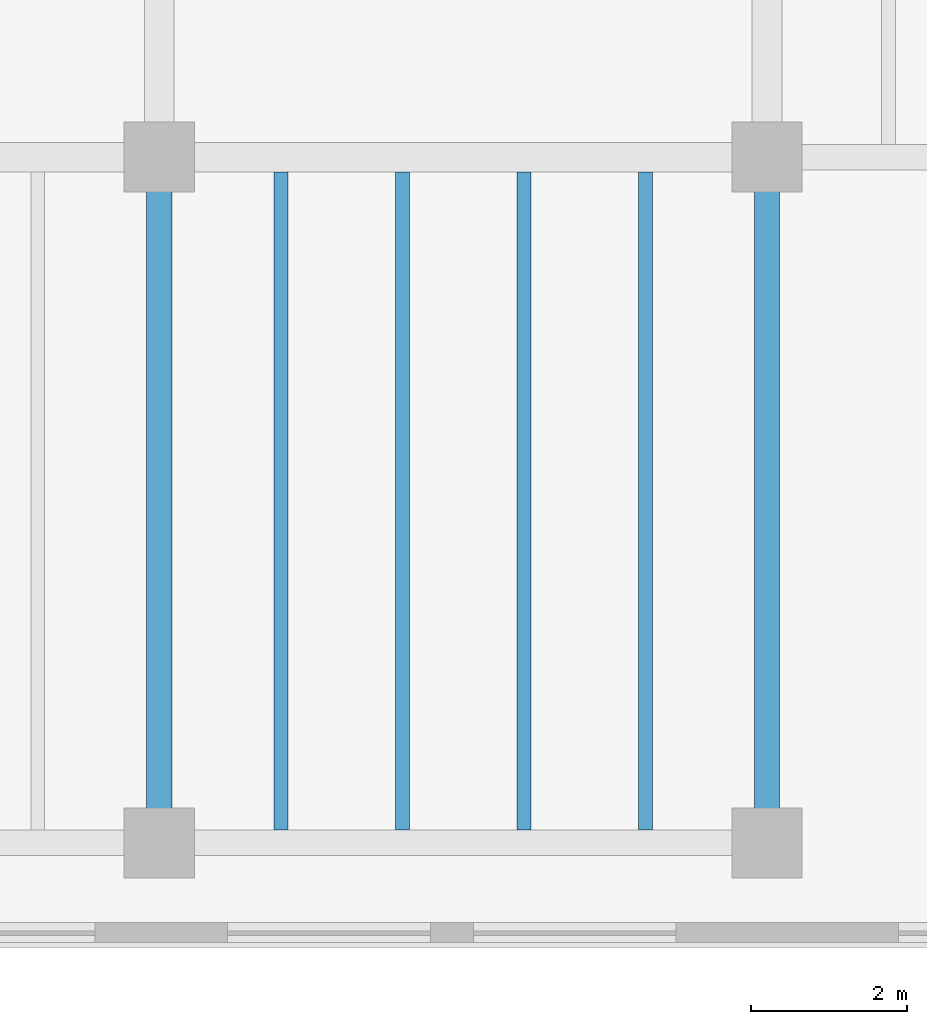
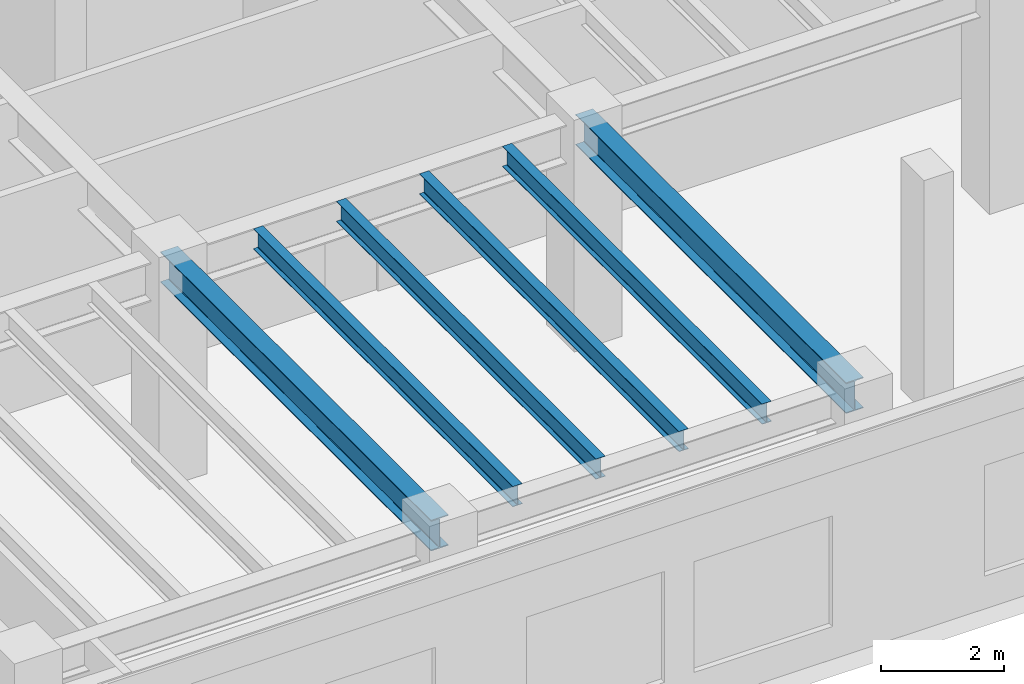
# One storey, part 5 of 20: 6 beams.
"""IFC4 building model written with IfcOpenShell, lengths in metres."""

from ifc_helpers import new_model, si_unit, direction, frame, origin, origin_2d, place, context, subcontext, project, spatial, i_section, extrude, material, material_profile, profile_set, type_object, element, save


model = new_model("IFC4")

# Units and contexts
model_context = context("Model", 3, precision=1e-05, world=origin(), true_north=direction((0.0, 1.0)))
body_context = subcontext(model_context, "Body", "Model", "MODEL_VIEW")
ifc_project = project(units=[si_unit("LENGTHUNIT", "METRE"), si_unit("AREAUNIT", "SQUARE_METRE"), si_unit("VOLUMEUNIT", "CUBIC_METRE"), si_unit("PLANEANGLEUNIT", "RADIAN"), si_unit("MASSUNIT", "GRAM", prefix="KILO")], contexts=[model_context])

# Site, building, storey
site_placement = place(None, origin())
site = spatial("IfcSite", under=ifc_project, at=site_placement, CompositionType="ELEMENT")
building_placement = place(site_placement, origin())
building = spatial("IfcBuilding", under=site, at=building_placement, Name="Kestravale Grand Hotel", CompositionType="ELEMENT")
storey_placement = place(building_placement, frame((0.0, 0.0, 231.89990234375)))
storey = spatial("IfcBuildingStorey", under=building, at=storey_placement, Name="L58", CompositionType="ELEMENT", Elevation=231.89990234375)

# Beams
ifc_material_1 = material(Name="Steel ASTM A992 Grade 50", Category="steel")
ifc_material_profile_1 = material_profile(ifc_material_1, i_section(OverallWidth=0.177978515625, OverallDepth=0.404052734375, WebThickness=0.007568359375, FlangeThickness=0.010986328125, FilletRadius=0.01416015625, at=origin_2d()))
ifc_profile_set_1 = profile_set([ifc_material_profile_1], Name="Steel ASTM A992 Grade 50")
beam_type_1 = type_object("IfcBeamType", Name="B-FLR-JST16", PredefinedType="JOIST", material=ifc_profile_set_1)
for number, where, z_axis, x_axis, name in (
    (1, (56.159912109375, 11.362548828125, 4.148193359375), (0.0, 1.0, 0.0), (-1.0, 0.0, 0.0), "L58 floor joist 9-10/C-D #1"),
    (2, (57.719970703125, 11.362548828125, 4.148193359375), (0.0, 1.0, 0.0), (-1.0, 0.0, 0.0), "L58 floor joist 9-10/C-D #2"),
    (3, (59.280029296875, 11.362548828125, 4.148193359375), (0.0, 1.0, 0.0), (-1.0, 0.0, 0.0), "L58 floor joist 9-10/C-D #3"),
    (4, (60.840087890625, 11.362548828125, 4.148193359375), (0.0, 1.0, 0.0), (-1.0, 0.0, 0.0), "L58 floor joist 9-10/C-D #4"),
):
    element("IfcBeam", number, at=place(storey_placement, frame(where, z_axis=z_axis, x_axis=x_axis)), inside=storey, type_object=beam_type_1, Name=name, PredefinedType="JOIST", context=body_context, shape_type="SweptSolid", body=[
        extrude(i_section(OverallWidth=0.177978515625, OverallDepth=0.404052734375, WebThickness=0.007568359375, FlangeThickness=0.010986328125, FilletRadius=0.01416015625, at=origin_2d()), origin(), (0.0, 0.0, 1.0), 8.447021484375),
    ])
ifc_material_2 = material(Name="Steel ASTM A992 Grade 50", Category="steel")
ifc_material_profile_2 = material_profile(ifc_material_2, i_section(OverallWidth=0.324951171875, OverallDepth=0.612060546875, WebThickness=0.0126953125, FlangeThickness=0.01904296875, FilletRadius=0.018798828125, at=origin_2d()))
ifc_profile_set_2 = profile_set([ifc_material_profile_2], Name="Steel ASTM A992 Grade 50")
beam_type_2 = type_object("IfcBeamType", Name="B-FLR-W24A", PredefinedType="SPANDREL", material=ifc_profile_set_2)
for number, where, z_axis, x_axis, name in (
    (5, (54.60009765625, 11.199951171875, 4.044189453125), (0.0, 1.0, 0.0), (-1.0, 0.0, 0.0), "L58 spandrel 9:C-D"),
    (6, (62.39990234375, 11.199951171875, 4.044189453125), (0.0, 1.0, 0.0), (-1.0, 0.0, 0.0), "L58 spandrel 10:C-D"),
):
    element("IfcBeam", number, at=place(storey_placement, frame(where, z_axis=z_axis, x_axis=x_axis)), inside=storey, type_object=beam_type_2, Name=name, PredefinedType="SPANDREL", context=body_context, shape_type="SweptSolid", body=[
        extrude(i_section(OverallWidth=0.324951171875, OverallDepth=0.612060546875, WebThickness=0.0126953125, FlangeThickness=0.01904296875, FilletRadius=0.018798828125, at=origin_2d()), origin(), (0.0, 0.0, 1.0), 8.800048828125),
    ])

save(model, "model.ifc")
